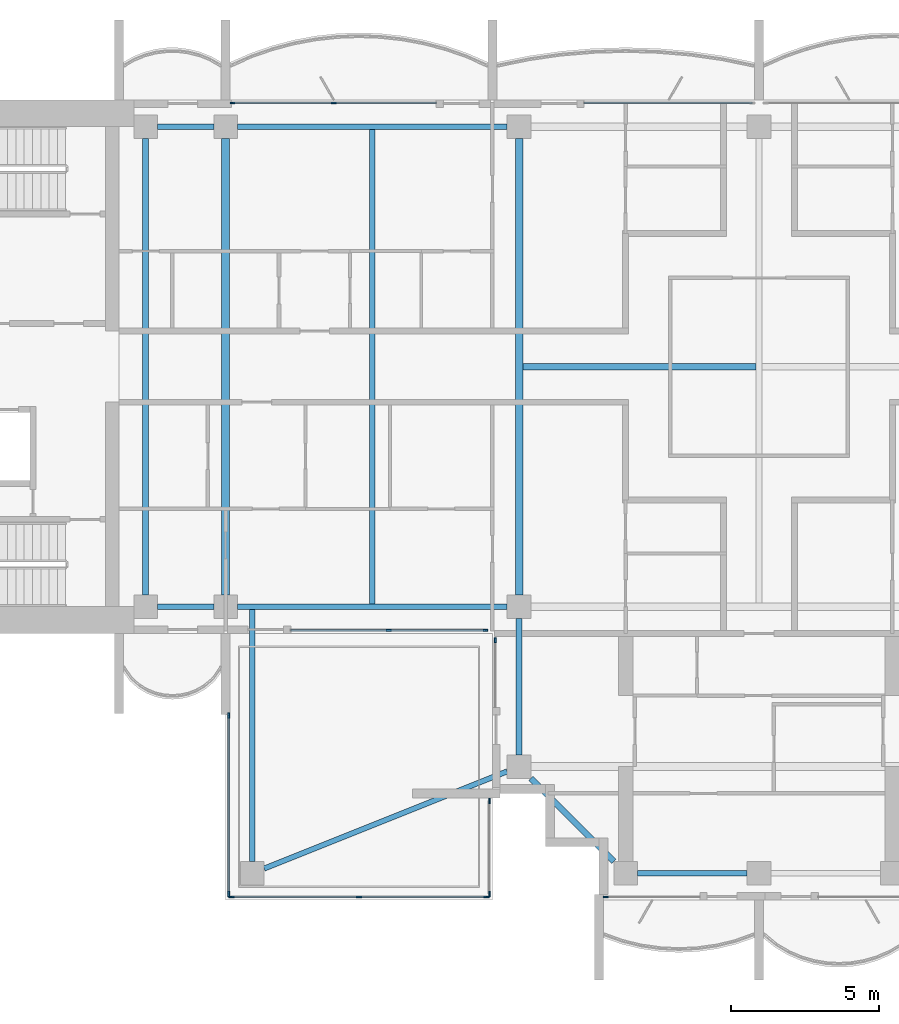
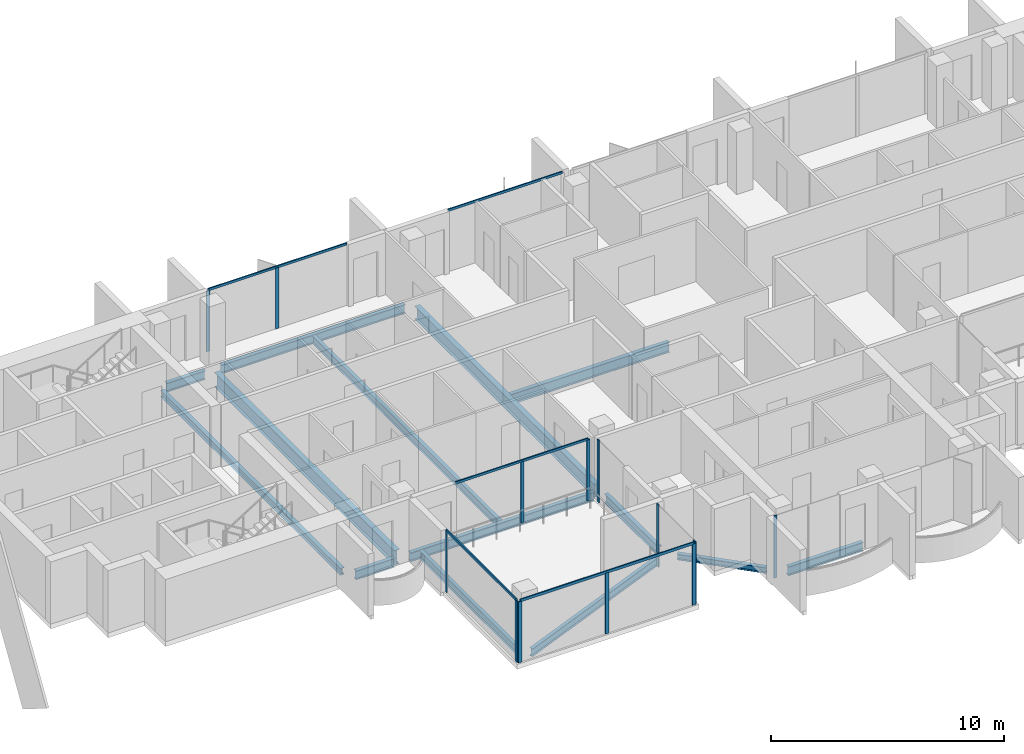
# One storey, part 2 of 16: 18 members, 14 beams, 8 elements without a shape of their own.
"""IFC4 building model written with IfcOpenShell, lengths in metres."""

from ifc_helpers import new_model, si_unit, direction, frame, origin, origin_2d, place, context, subcontext, project, spatial, rectangle, i_section, extrude, material, material_profile, profile_set, type_object, element, aggregate, save


model = new_model("IFC4")

# Units and contexts
model_context = context("Model", 3, precision=1e-05, world=origin(), true_north=direction((0.0, 1.0)))
body_context = subcontext(model_context, "Body", "Model", "MODEL_VIEW")
ifc_project = project(units=[si_unit("LENGTHUNIT", "METRE"), si_unit("AREAUNIT", "SQUARE_METRE"), si_unit("VOLUMEUNIT", "CUBIC_METRE"), si_unit("PLANEANGLEUNIT", "RADIAN"), si_unit("MASSUNIT", "GRAM", prefix="KILO")], contexts=[model_context])

# Site, building, storey
site_placement = place(None, origin())
site = spatial("IfcSite", under=ifc_project, at=site_placement, CompositionType="ELEMENT")
building_placement = place(site_placement, origin())
building = spatial("IfcBuilding", under=site, at=building_placement, Name="Perihelion Cross Residences", CompositionType="ELEMENT")
storey_placement = place(building_placement, frame((0.0, 0.0, 253.5)))
storey = spatial("IfcBuildingStorey", under=building, at=storey_placement, Name="L64", CompositionType="ELEMENT", Elevation=253.5)

# Curtain wall, members
ifc_material_1 = material(Name="Bronze anodised aluminium, tinted glazing", Category="aluminium")
curtain_wall_type_1 = type_object("IfcCurtainWallType", Name="CW1", PredefinedType="NOTDEFINED", material=ifc_material_1)
curtain_wall_1_placement = place(storey_placement, origin())
curtain_wall_1 = element("IfcCurtainWall", 1, at=curtain_wall_1_placement, inside=storey, type_object=curtain_wall_type_1, Name="Curtain wall CW1 L64 west side north bay 1", PredefinedType="NOTDEFINED")
ifc_material_2 = material(Name="Bronze anodised aluminium", Category="aluminium")
ifc_material_profile_1 = material_profile(ifc_material_2, rectangle(XDim=0.06005859375, YDim=0.159912109375, at=origin_2d()), Name="CW1 mullion")
ifc_profile_set_1 = profile_set([ifc_material_profile_1], Name="Bronze anodised aluminium")
member_type_1 = type_object("IfcMemberType", Name="CW1 mullion", PredefinedType="MULLION", material=ifc_profile_set_1)
member_1_placement = place(storey_placement, frame((-14.35009765625, 8.89990234375, 0.0), z_axis=(0.0, 0.0, 1.0), x_axis=(0.0, -1.0, 0.0)))
member_1 = element("IfcMember", 2, at=member_1_placement, type_object=member_type_1, Name="CW1 mullion 2", PredefinedType="MULLION", context=body_context, shape_type="SweptSolid", body=[
    extrude(rectangle(XDim=0.06005859375, YDim=0.159912109375, at=origin_2d()), origin(), (0.0, 0.0, 1.0), 3.18994140625),
])
member_2_placement = place(storey_placement, frame((-17.77001953125, 8.89990234375, 0.0), z_axis=(0.0, 0.0, 1.0), x_axis=(0.0, -1.0, 0.0)))
member_2 = element("IfcMember", 3, at=member_2_placement, type_object=member_type_1, Name="CW1 mullion 3", PredefinedType="MULLION", context=body_context, shape_type="SweptSolid", body=[
    extrude(rectangle(XDim=0.06005859375, YDim=0.159912109375, at=origin_2d()), origin(), (0.0, 0.0, 1.0), 3.18994140625),
])

curtain_wall_2_placement = place(storey_placement, origin())
curtain_wall_2 = element("IfcCurtainWall", 4, at=curtain_wall_2_placement, inside=storey, type_object=curtain_wall_type_1, Name="Curtain wall CW1 L64 west side south bay 2", PredefinedType="NOTDEFINED")
member_3_placement = place(storey_placement, frame((-12.5, -8.89990234375, 0.0), z_axis=(0.0, 0.0, 1.0), x_axis=(0.0, 1.0, 0.0)))
member_3 = element("IfcMember", 5, at=member_3_placement, type_object=member_type_1, Name="CW1 mullion 2", PredefinedType="MULLION", context=body_context, shape_type="SweptSolid", body=[
    extrude(rectangle(XDim=0.06005859375, YDim=0.159912109375, at=origin_2d()), origin(), (0.0, 0.0, 1.0), 3.18994140625),
])
member_4_placement = place(storey_placement, frame((-9.22998046875, -8.89990234375, 0.0), z_axis=(0.0, 0.0, 1.0), x_axis=(0.0, 1.0, 0.0)))
member_4 = element("IfcMember", 6, at=member_4_placement, type_object=member_type_1, Name="CW1 mullion 3", PredefinedType="MULLION", context=body_context, shape_type="SweptSolid", body=[
    extrude(rectangle(XDim=0.06005859375, YDim=0.159912109375, at=origin_2d()), origin(), (0.0, 0.0, 1.0), 3.18994140625),
])

# Curtain wall, member
curtain_wall_3_placement = place(storey_placement, origin())
curtain_wall_3 = element("IfcCurtainWall", 7, at=curtain_wall_3_placement, inside=storey, type_object=curtain_wall_type_1, Name="Curtain wall CW1 L64 south side west bay 1", PredefinedType="NOTDEFINED")
member_5_placement = place(storey_placement, frame((-8.89990234375, -9.22998046875, 0.0), z_axis=(0.0, 0.0, 1.0), x_axis=(1.0, 0.0, 0.0)))
member_5 = element("IfcMember", 8, at=member_5_placement, type_object=member_type_1, Name="CW1 mullion 1", PredefinedType="MULLION", context=body_context, shape_type="SweptSolid", body=[
    extrude(rectangle(XDim=0.06005859375, YDim=0.159912109375, at=origin_2d()), origin(), (0.0, 0.0, 1.0), 3.25),
])
aggregate(curtain_wall_3, [member_5])

curtain_wall_4_placement = place(storey_placement, origin())
curtain_wall_4 = element("IfcCurtainWall", 9, at=curtain_wall_4_placement, inside=storey, type_object=curtain_wall_type_1, Name="Curtain wall CW1 L64 south tip south bay 1", PredefinedType="NOTDEFINED")
member_6_placement = place(storey_placement, frame((-5.169921875, -17.89990234375, 0.0), z_axis=(0.0, 0.0, 1.0), x_axis=(0.0, 1.0, 0.0)))
member_6 = element("IfcMember", 10, at=member_6_placement, type_object=member_type_1, Name="CW1 mullion 1", PredefinedType="MULLION", context=body_context, shape_type="SweptSolid", body=[
    extrude(rectangle(XDim=0.06005859375, YDim=0.159912109375, at=origin_2d()), origin(), (0.0, 0.0, 1.0), 3.25),
])
aggregate(curtain_wall_4, [member_6])

curtain_wall_5_placement = place(storey_placement, origin())
curtain_wall_5 = element("IfcCurtainWall", 11, at=curtain_wall_5_placement, inside=storey, type_object=curtain_wall_type_1, Name="Curtain wall CW1 L64 north side east bay 2", PredefinedType="NOTDEFINED")
ifc_material_3 = material(Name="Bronze anodised aluminium", Category="aluminium")
ifc_material_profile_2 = material_profile(ifc_material_3, rectangle(XDim=0.06005859375, YDim=0.1201171875, at=origin_2d()), Name="CW1 transom")
ifc_profile_set_2 = profile_set([ifc_material_profile_2], Name="Bronze anodised aluminium")
member_type_2 = type_object("IfcMemberType", Name="CW1 transom", PredefinedType="USERDEFINED", material=ifc_profile_set_2)
member_7_placement = place(storey_placement, frame((-0.22998046875, 8.89990234375, 3.219970703125), z_axis=(-1.0, 0.0, 0.0), x_axis=(0.0, -1.0, 0.0)))
member_7 = element("IfcMember", 12, at=member_7_placement, type_object=member_type_2, Name="CW1 head transom", ObjectType="TRANSOM", PredefinedType="USERDEFINED", context=body_context, shape_type="SweptSolid", body=[
    extrude(rectangle(XDim=0.06005859375, YDim=0.1201171875, at=origin_2d()), origin(), (0.0, 0.0, 1.0), 5.669921875),
])
aggregate(curtain_wall_5, [member_7])

# Member
member_8_placement = place(storey_placement, frame((-10.89990234375, 8.89990234375, 3.219970703125), z_axis=(-1.0, 0.0, 0.0), x_axis=(0.0, -1.0, 0.0)))
member_8 = element("IfcMember", 13, at=member_8_placement, type_object=member_type_2, Name="CW1 head transom", ObjectType="TRANSOM", PredefinedType="USERDEFINED", context=body_context, shape_type="SweptSolid", body=[
    extrude(rectangle(XDim=0.06005859375, YDim=0.1201171875, at=origin_2d()), origin(), (0.0, 0.0, 1.0), 6.8701171875),
])

aggregate(curtain_wall_1, [member_1, member_2, member_8])

member_9_placement = place(storey_placement, frame((-15.800048828125, -8.89990234375, 3.219970703125), z_axis=(1.0, 0.0, 0.0), x_axis=(0.0, 1.0, 0.0)))
member_9 = element("IfcMember", 14, at=member_9_placement, type_object=member_type_2, Name="CW1 head transom", ObjectType="TRANSOM", PredefinedType="USERDEFINED", context=body_context, shape_type="SweptSolid", body=[
    extrude(rectangle(XDim=0.06005859375, YDim=0.1201171875, at=origin_2d()), origin(), (0.0, 0.0, 1.0), 6.570068359375),
])

aggregate(curtain_wall_2, [member_3, member_4, member_9])

# Curtain wall, members
ifc_material_4 = material(Name="Bronze anodised aluminium, tinted glazing", Category="aluminium")
curtain_wall_type_2 = type_object("IfcCurtainWallType", Name="CW4", PredefinedType="NOTDEFINED", material=ifc_material_4)
curtain_wall_6_placement = place(storey_placement, origin())
curtain_wall_6 = element("IfcCurtainWall", 15, at=curtain_wall_6_placement, inside=storey, type_object=curtain_wall_type_2, Name="Curtain wall CW4 L64 pocket south-west 1 1", PredefinedType="NOTDEFINED")
ifc_material_5 = material(Name="Bronze anodised aluminium", Category="aluminium")
ifc_material_profile_3 = material_profile(ifc_material_5, rectangle(XDim=0.06005859375, YDim=0.179931640625, at=origin_2d()), Name="CW4 mullion")
ifc_profile_set_3 = profile_set([ifc_material_profile_3], Name="Bronze anodised aluminium")
member_type_3 = type_object("IfcMemberType", Name="CW4 mullion", PredefinedType="MULLION", material=ifc_profile_set_3)
member_10_placement = place(storey_placement, frame((-9.10009765625, -14.658935546875, 0.0), z_axis=(0.0, 0.0, 1.0), x_axis=(1.0, 0.0, 0.0)))
member_10 = element("IfcMember", 16, at=member_10_placement, type_object=member_type_3, Name="CW4 mullion 1", PredefinedType="MULLION", context=body_context, shape_type="SweptSolid", body=[
    extrude(rectangle(XDim=0.06005859375, YDim=0.179931640625, at=origin_2d()), origin(), (0.0, 0.0, 1.0), 3.25),
])
member_11_placement = place(storey_placement, frame((-9.10009765625, -17.800048828125, 0.0), z_axis=(0.0, 0.0, 1.0), x_axis=(1.0, 0.0, 0.0)))
member_11 = element("IfcMember", 17, at=member_11_placement, type_object=member_type_3, Name="CW4 mullion 2", PredefinedType="MULLION", context=body_context, shape_type="SweptSolid", body=[
    extrude(rectangle(XDim=0.06005859375, YDim=0.179931640625, at=origin_2d()), origin(), (0.0, 0.0, 1.0), 3.25),
])
aggregate(curtain_wall_6, [member_10, member_11])

curtain_wall_7_placement = place(storey_placement, origin())
curtain_wall_7 = element("IfcCurtainWall", 18, at=curtain_wall_7_placement, inside=storey, type_object=curtain_wall_type_2, Name="Curtain wall CW4 L64 pocket south-west 1 2", PredefinedType="NOTDEFINED")
member_12_placement = place(storey_placement, frame((-9.199951171875, -17.89990234375, 0.0), z_axis=(0.0, 0.0, 1.0), x_axis=(0.0, -1.0, 0.0)))
member_12 = element("IfcMember", 19, at=member_12_placement, type_object=member_type_3, Name="CW4 mullion 1", PredefinedType="MULLION", context=body_context, shape_type="SweptSolid", body=[
    extrude(rectangle(XDim=0.06005859375, YDim=0.179931640625, at=origin_2d()), origin(), (0.0, 0.0, 1.0), 3.18994140625),
])
member_13_placement = place(storey_placement, frame((-13.5, -17.89990234375, 0.0), z_axis=(0.0, 0.0, 1.0), x_axis=(0.0, -1.0, 0.0)))
member_13 = element("IfcMember", 20, at=member_13_placement, type_object=member_type_3, Name="CW4 mullion 2", PredefinedType="MULLION", context=body_context, shape_type="SweptSolid", body=[
    extrude(rectangle(XDim=0.06005859375, YDim=0.179931640625, at=origin_2d()), origin(), (0.0, 0.0, 1.0), 3.18994140625),
])
member_14_placement = place(storey_placement, frame((-17.800048828125, -17.89990234375, 0.0), z_axis=(0.0, 0.0, 1.0), x_axis=(0.0, -1.0, 0.0)))
member_14 = element("IfcMember", 21, at=member_14_placement, type_object=member_type_3, Name="CW4 mullion 3", PredefinedType="MULLION", context=body_context, shape_type="SweptSolid", body=[
    extrude(rectangle(XDim=0.06005859375, YDim=0.179931640625, at=origin_2d()), origin(), (0.0, 0.0, 1.0), 3.18994140625),
])

curtain_wall_8_placement = place(storey_placement, origin())
curtain_wall_8 = element("IfcCurtainWall", 22, at=curtain_wall_8_placement, inside=storey, type_object=curtain_wall_type_2, Name="Curtain wall CW4 L64 pocket south-west 1 3", PredefinedType="NOTDEFINED")
member_15_placement = place(storey_placement, frame((-17.89990234375, -17.800048828125, 0.0), z_axis=(0.0, 0.0, 1.0), x_axis=(-1.0, 0.0, 0.0)))
member_15 = element("IfcMember", 23, at=member_15_placement, type_object=member_type_3, Name="CW4 mullion 1", PredefinedType="MULLION", context=body_context, shape_type="SweptSolid", body=[
    extrude(rectangle(XDim=0.06005859375, YDim=0.179931640625, at=origin_2d()), origin(), (0.0, 0.0, 1.0), 3.18994140625),
])
member_16_placement = place(storey_placement, frame((-17.89990234375, -11.77001953125, 0.0), z_axis=(0.0, 0.0, 1.0), x_axis=(-1.0, 0.0, 0.0)))
member_16 = element("IfcMember", 24, at=member_16_placement, type_object=member_type_3, Name="CW4 mullion 2", PredefinedType="MULLION", context=body_context, shape_type="SweptSolid", body=[
    extrude(rectangle(XDim=0.06005859375, YDim=0.179931640625, at=origin_2d()), origin(), (0.0, 0.0, 1.0), 3.18994140625),
])

# Member
ifc_material_6 = material(Name="Bronze anodised aluminium", Category="aluminium")
ifc_material_profile_4 = material_profile(ifc_material_6, rectangle(XDim=0.06005859375, YDim=0.139892578125, at=origin_2d()), Name="CW4 transom")
ifc_profile_set_4 = profile_set([ifc_material_profile_4], Name="Bronze anodised aluminium")
member_type_4 = type_object("IfcMemberType", Name="CW4 transom", PredefinedType="USERDEFINED", material=ifc_profile_set_4)
member_17_placement = place(storey_placement, frame((-9.199951171875, -17.89990234375, 3.219970703125), z_axis=(-1.0, 0.0, 0.0), x_axis=(0.0, -1.0, 0.0)))
member_17 = element("IfcMember", 25, at=member_17_placement, type_object=member_type_4, Name="CW4 head transom", ObjectType="TRANSOM", PredefinedType="USERDEFINED", context=body_context, shape_type="SweptSolid", body=[
    extrude(rectangle(XDim=0.06005859375, YDim=0.139892578125, at=origin_2d()), origin(), (0.0, 0.0, 1.0), 8.60009765625),
])

aggregate(curtain_wall_7, [member_12, member_13, member_14, member_17])

member_18_placement = place(storey_placement, frame((-17.89990234375, -17.800048828125, 3.219970703125), z_axis=(0.0, 1.0, 0.0), x_axis=(-1.0, 0.0, 0.0)))
member_18 = element("IfcMember", 26, at=member_18_placement, type_object=member_type_4, Name="CW4 head transom", ObjectType="TRANSOM", PredefinedType="USERDEFINED", context=body_context, shape_type="SweptSolid", body=[
    extrude(rectangle(XDim=0.06005859375, YDim=0.139892578125, at=origin_2d()), origin(), (0.0, 0.0, 1.0), 6.030029296875),
])

aggregate(curtain_wall_8, [member_15, member_16, member_18])

# Beams
ifc_material_7 = material(Name="Steel S355", Category="steel")
ifc_material_profile_5 = material_profile(ifc_material_7, i_section(OverallWidth=0.205078125, OverallDepth=0.35302734375, WebThickness=0.009521484375, FlangeThickness=0.016845703125, at=origin_2d()), Name="W360x79")
ifc_profile_set_5 = profile_set([ifc_material_profile_5], Name="Steel S355")
beam_type_1 = type_object("IfcBeamType", Name="Core edge beam W360x79", PredefinedType="BEAM", material=ifc_profile_set_5)
beam_1_placement = place(storey_placement, frame((-20.699951171875, -7.699951171875, -0.426513671875), z_axis=(0.0, 1.0, 0.0), x_axis=(-1.0, 0.0, 0.0)))
element("IfcBeam", 27, at=beam_1_placement, inside=storey, type_object=beam_type_1, Name="Core edge beam TB7 L64 no. 1", PredefinedType="BEAM", context=body_context, shape_type="SweptSolid", body=[
    extrude(i_section(OverallWidth=0.205078125, OverallDepth=0.35302734375, WebThickness=0.009521484375, FlangeThickness=0.016845703125, at=origin_2d()), origin(), (0.0, 0.0, 1.0), 15.39990234375),
])
ifc_material_8 = material(Name="Steel S355", Category="steel")
ifc_material_profile_6 = material_profile(ifc_material_8, i_section(OverallWidth=0.177978515625, OverallDepth=0.406005859375, WebThickness=0.0078125, FlangeThickness=0.0126953125, at=origin_2d()), Name="W410x60")
ifc_profile_set_6 = profile_set([ifc_material_profile_6], Name="Steel S355")
beam_type_2 = type_object("IfcBeamType", Name="Core edge beam W410x60", PredefinedType="BEAM", material=ifc_profile_set_6)
beam_2_placement = place(storey_placement, frame((-17.10009765625, -8.197021484375, -0.452880859375), z_axis=(0.0, -1.0, 0.0), x_axis=(1.0, 0.0, 0.0)))
element("IfcBeam", 28, at=beam_2_placement, inside=storey, type_object=beam_type_2, Name="Core edge beam TB2 L64 corner no. 1", PredefinedType="BEAM", context=body_context, shape_type="SweptSolid", body=[
    extrude(i_section(OverallWidth=0.177978515625, OverallDepth=0.406005859375, WebThickness=0.0078125, FlangeThickness=0.0126953125, at=origin_2d()), origin(), (0.0, 0.0, 1.0), 8.5029296875),
])
beam_3_placement = place(storey_placement, frame((-8.5, -13.659912109375, -0.452880859375), z_axis=(-0.928474784399, -0.371395442534, 0.0), x_axis=(0.371395442534, -0.928474784399, 0.0)))
element("IfcBeam", 29, at=beam_3_placement, inside=storey, type_object=beam_type_2, Name="Core edge beam TB2 L64 corner no. 2", PredefinedType="BEAM", context=body_context, shape_type="SweptSolid", body=[
    extrude(i_section(OverallWidth=0.177978515625, OverallDepth=0.406005859375, WebThickness=0.0078125, FlangeThickness=0.0126953125, at=origin_2d()), origin(), (0.0, 0.0, 1.0), 8.83154296875),
])
ifc_material_9 = material(Name="Steel S355", Category="steel")
ifc_material_profile_7 = material_profile(ifc_material_9, i_section(OverallWidth=0.194091796875, OverallDepth=0.469970703125, WebThickness=0.0126953125, FlangeThickness=0.0205078125, at=origin_2d()), Name="W460x106")
ifc_profile_set_7 = profile_set([ifc_material_profile_7], Name="Steel S355")
beam_type_3 = type_object("IfcBeamType", Name="Edge beam W460x106", PredefinedType="SPANDREL", material=ifc_profile_set_7)
beam_4_placement = place(storey_placement, frame((-8.5, 8.10009765625, -0.485107421875), z_axis=(-1.0, 0.0, 0.0), x_axis=(0.0, -1.0, 0.0)))
element("IfcBeam", 30, at=beam_4_placement, inside=storey, type_object=beam_type_3, Name="Edge beam SB5 L64 no. 6", PredefinedType="SPANDREL", context=body_context, shape_type="SweptSolid", body=[
    extrude(i_section(OverallWidth=0.194091796875, OverallDepth=0.469970703125, WebThickness=0.0126953125, FlangeThickness=0.0205078125, at=origin_2d()), origin(), (0.0, 0.0, 1.0), 9.10009765625),
])
for number, where, z_axis, x_axis, name in (
    (31, (-18.39990234375, 8.10009765625, -0.485107421875), (-1.0, 0.0, 0.0), (0.0, -1.0, 0.0), "Edge beam SB5 L64 no. 2"),
    (32, (-20.300048828125, -8.10009765625, -0.485107421875), (1.0, 0.0, 0.0), (0.0, 1.0, 0.0), "Edge beam SB5 L64 no. 3"),
):
    element("IfcBeam", number, at=place(storey_placement, frame(where, z_axis=z_axis, x_axis=x_axis)), inside=storey, type_object=beam_type_3, Name=name, PredefinedType="SPANDREL", context=body_context, shape_type="SweptSolid", body=[
        extrude(i_section(OverallWidth=0.194091796875, OverallDepth=0.469970703125, WebThickness=0.0126953125, FlangeThickness=0.0205078125, at=origin_2d()), origin(), (0.0, 0.0, 1.0), 1.900146484375),
    ])
beam_5_placement = place(storey_placement, frame((-17.60009765625, -8.10009765625, -0.485107421875), z_axis=(1.0, 0.0, 0.0), x_axis=(0.0, 1.0, 0.0)))
element("IfcBeam", 33, at=beam_5_placement, inside=storey, type_object=beam_type_3, Name="Edge beam SB5 L64 no. 1", PredefinedType="SPANDREL", context=body_context, shape_type="SweptSolid", body=[
    extrude(i_section(OverallWidth=0.194091796875, OverallDepth=0.469970703125, WebThickness=0.0126953125, FlangeThickness=0.0205078125, at=origin_2d()), origin(), (0.0, 0.0, 1.0), 9.10009765625),
])
beam_6_placement = place(storey_placement, frame((-8.10009765625, -8.5, -0.485107421875), z_axis=(0.0, -1.0, 0.0), x_axis=(1.0, 0.0, 0.0)))
element("IfcBeam", 34, at=beam_6_placement, inside=storey, type_object=beam_type_3, Name="Edge beam SB5 L64 no. 5", PredefinedType="SPANDREL", context=body_context, shape_type="SweptSolid", body=[
    extrude(i_section(OverallWidth=0.194091796875, OverallDepth=0.469970703125, WebThickness=0.0126953125, FlangeThickness=0.0205078125, at=origin_2d()), origin(), (0.0, 0.0, 1.0), 4.60009765625),
])
beam_7_placement = place(storey_placement, frame((-4.10009765625, -17.10009765625, -0.485107421875), z_axis=(1.0, 0.0, 0.0), x_axis=(0.0, 1.0, 0.0)))
element("IfcBeam", 35, at=beam_7_placement, inside=storey, type_object=beam_type_3, Name="Edge beam SB5 L64 no. 4", PredefinedType="SPANDREL", context=body_context, shape_type="SweptSolid", body=[
    extrude(i_section(OverallWidth=0.194091796875, OverallDepth=0.469970703125, WebThickness=0.0126953125, FlangeThickness=0.0205078125, at=origin_2d()), origin(), (0.0, 0.0, 1.0), 3.7001953125),
])
ifc_material_10 = material(Name="Steel S355", Category="steel")
ifc_material_profile_8 = material_profile(ifc_material_10, i_section(OverallWidth=0.26708984375, OverallDepth=0.75390625, WebThickness=0.01318359375, FlangeThickness=0.01708984375, at=origin_2d()), Name="W760x147")
ifc_profile_set_8 = profile_set([ifc_material_profile_8], Name="Steel S355")
beam_type_4 = type_object("IfcBeamType", Name="Floor girder W760x147", PredefinedType="BEAM", material=ifc_profile_set_8)
beam_8_placement = place(storey_placement, frame((-18.0, -7.699951171875, -0.626953125), z_axis=(0.0, 1.0, 0.0), x_axis=(-1.0, 0.0, 0.0)))
element("IfcBeam", 36, at=beam_8_placement, inside=storey, type_object=beam_type_4, Name="Girder G5 L64 no. 1", PredefinedType="BEAM", context=body_context, shape_type="SweptSolid", body=[
    extrude(i_section(OverallWidth=0.26708984375, OverallDepth=0.75390625, WebThickness=0.01318359375, FlangeThickness=0.01708984375, at=origin_2d()), origin(), (0.0, 0.0, 1.0), 15.39990234375),
])
ifc_material_11 = material(Name="Steel S355", Category="steel")
ifc_material_profile_9 = material_profile(ifc_material_11, i_section(OverallWidth=0.177978515625, OverallDepth=0.406005859375, WebThickness=0.0078125, FlangeThickness=0.0126953125, at=origin_2d()), Name="W410x60")
ifc_profile_set_9 = profile_set([ifc_material_profile_9], Name="Steel S355")
beam_type_5 = type_object("IfcBeamType", Name="Floor joist W410x60", PredefinedType="JOIST", material=ifc_profile_set_9)
beam_9_placement = place(storey_placement, frame((-13.050048828125, -8.0029296875, -0.452880859375), z_axis=(0.0, 1.0, 0.0), x_axis=(-1.0, 0.0, 0.0)))
element("IfcBeam", 37, at=beam_9_placement, inside=storey, type_object=beam_type_5, Name="Joist J6 L64 no. 1", PredefinedType="JOIST", context=body_context, shape_type="SweptSolid", body=[
    extrude(i_section(OverallWidth=0.177978515625, OverallDepth=0.406005859375, WebThickness=0.0078125, FlangeThickness=0.0126953125, at=origin_2d()), origin(), (0.0, 0.0, 1.0), 16.005859375),
])
ifc_material_12 = material(Name="Steel S355", Category="steel")
ifc_material_profile_10 = material_profile(ifc_material_12, i_section(OverallWidth=0.208984375, OverallDepth=0.532958984375, WebThickness=0.01025390625, FlangeThickness=0.015625, at=origin_2d()), Name="W530x92")
ifc_profile_set_10 = profile_set([ifc_material_profile_10], Name="Steel S355")
beam_type_6 = type_object("IfcBeamType", Name="Hub cross beam W530x92", PredefinedType="BEAM", material=ifc_profile_set_10)
beam_10_placement = place(storey_placement, frame((-7.972900390625, 0.0, -0.5166015625), z_axis=(1.0, 0.0, 0.0), x_axis=(0.0, 1.0, 0.0)))
element("IfcBeam", 38, at=beam_10_placement, inside=storey, type_object=beam_type_6, Name="Hub cross beam XB5 L64 1 no. 1", PredefinedType="BEAM", context=body_context, shape_type="SweptSolid", body=[
    extrude(i_section(OverallWidth=0.208984375, OverallDepth=0.532958984375, WebThickness=0.01025390625, FlangeThickness=0.015625, at=origin_2d()), origin(), (0.0, 0.0, 1.0), 7.868408203125),
])
ifc_material_13 = material(Name="Steel S355", Category="steel")
ifc_material_profile_11 = material_profile(ifc_material_13, i_section(OverallWidth=0.25390625, OverallDepth=0.677978515625, WebThickness=0.01171875, FlangeThickness=0.016357421875, at=origin_2d()), Name="W690x125")
ifc_profile_set_11 = profile_set([ifc_material_profile_11], Name="Steel S355")
beam_type_7 = type_object("IfcBeamType", Name="Hub ring girder W690x125", PredefinedType="BEAM", material=ifc_profile_set_11)
beam_11_placement = place(storey_placement, frame((-8.10009765625, 7.699951171875, -0.589111328125), z_axis=(0.0, -1.0, 0.0), x_axis=(1.0, 0.0, 0.0)))
element("IfcBeam", 39, at=beam_11_placement, inside=storey, type_object=beam_type_7, Name="Hub ring girder RG5 L64 no. 2", PredefinedType="BEAM", context=body_context, shape_type="SweptSolid", body=[
    extrude(i_section(OverallWidth=0.25390625, OverallDepth=0.677978515625, WebThickness=0.01171875, FlangeThickness=0.016357421875, at=origin_2d()), origin(), (0.0, 0.0, 1.0), 15.39990234375),
])
ifc_material_14 = material(Name="Steel S355", Category="steel")
ifc_material_profile_12 = material_profile(ifc_material_14, i_section(OverallWidth=0.202880859375, OverallDepth=0.302001953125, WebThickness=0.007568359375, FlangeThickness=0.01318359375, at=origin_2d()), Name="W310x60")
ifc_profile_set_12 = profile_set([ifc_material_profile_12], Name="Steel S355")
beam_type_8 = type_object("IfcBeamType", Name="Serration edge beam W310x60", PredefinedType="BEAM", material=ifc_profile_set_12)
beam_12_placement = place(storey_placement, frame((-7.699951171875, -13.89990234375, -0.40087890625), z_axis=(0.707106781187, -0.707106781187, 0.0), x_axis=(0.707106781187, 0.707106781187, 0.0)))
element("IfcBeam", 40, at=beam_12_placement, inside=storey, type_object=beam_type_8, Name="Serration edge beam EB5 L64 no. 1", PredefinedType="BEAM", context=body_context, shape_type="SweptSolid", body=[
    extrude(i_section(OverallWidth=0.202880859375, OverallDepth=0.302001953125, WebThickness=0.007568359375, FlangeThickness=0.01318359375, at=origin_2d()), origin(), (0.0, 0.0, 1.0), 3.9599609375),
])

save(model, "model.ifc")
